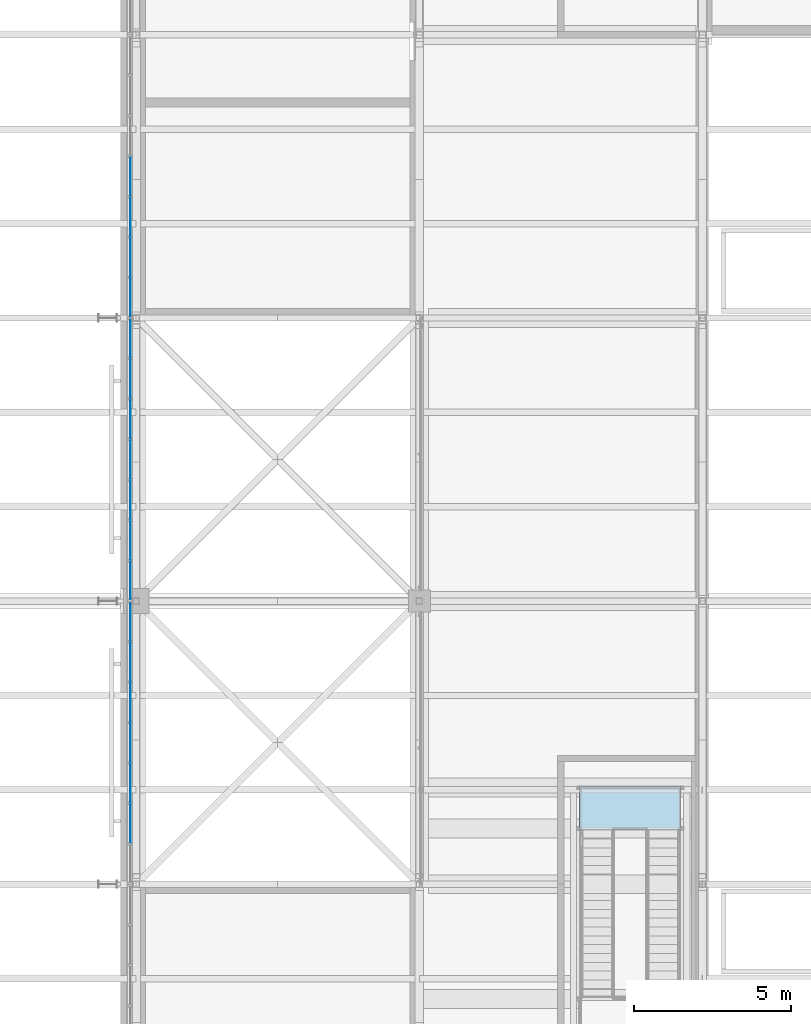
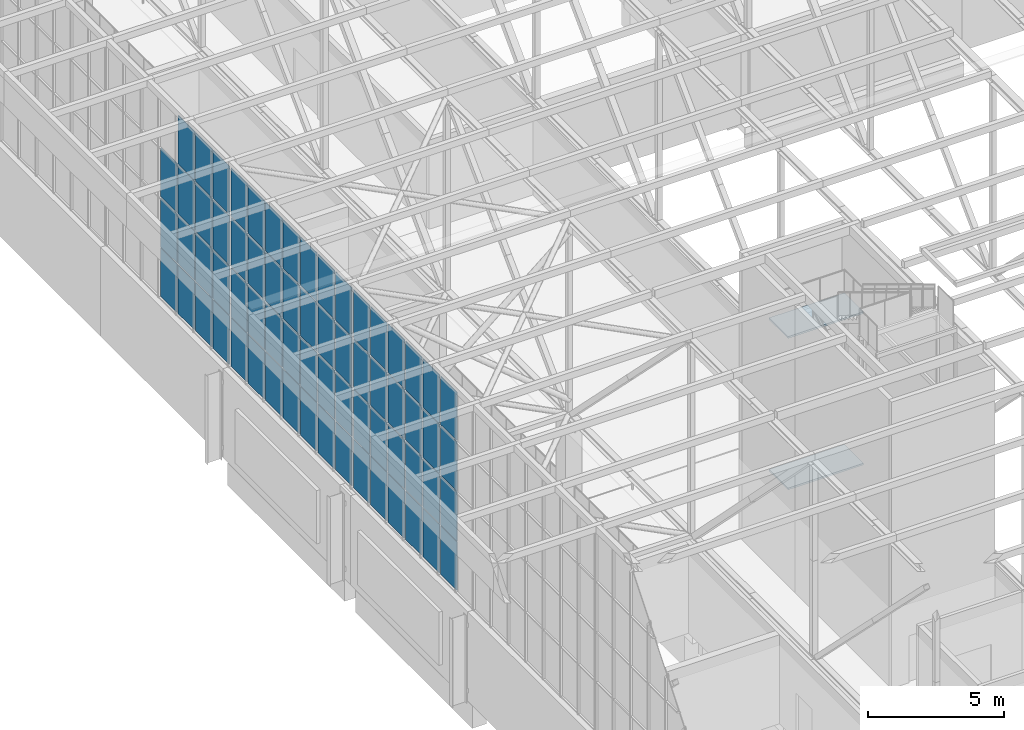
# One storey, part 148 of 646: 67 plates, 2 slabs, 4 elements without a shape of their own.
"""IFC4 building model written with IfcOpenShell, lengths in metres."""

from ifc_helpers import new_model, si_unit, direction, frame, origin, origin_2d, place, context, subcontext, project, spatial, polyline, rectangle, outline, extrude, material, layer, layer_set, type_object, element, aggregate, save


model = new_model("IFC4")

# Units and contexts
model_context = context("Model", 3, precision=1e-05, world=origin(), true_north=direction((0.0, 1.0)))
body_context = subcontext(model_context, "Body", "Model", "MODEL_VIEW")
ifc_project = project(units=[si_unit("LENGTHUNIT", "METRE"), si_unit("AREAUNIT", "SQUARE_METRE"), si_unit("VOLUMEUNIT", "CUBIC_METRE"), si_unit("PLANEANGLEUNIT", "RADIAN"), si_unit("MASSUNIT", "GRAM", prefix="KILO")], contexts=[model_context])

# Site, building, storey
site_placement = place(None, origin())
site = spatial("IfcSite", under=ifc_project, at=site_placement, CompositionType="ELEMENT")
building_placement = place(site_placement, origin())
building = spatial("IfcBuilding", under=site, at=building_placement, Name="Silverbay Arena", CompositionType="ELEMENT")
storey_placement = place(building_placement, frame((0.0, 0.0, 33.5)))
storey = spatial("IfcBuildingStorey", under=building, at=storey_placement, Name="L05", CompositionType="ELEMENT", Elevation=33.5)

# Curtain wall, plates
ifc_material_1 = material(Name="Aluminium framed glazing", Category="aluminium")
curtain_wall_type = type_object("IfcCurtainWallType", Name="Curtain wall clerestory 9000 x 9000", PredefinedType="NOTDEFINED", material=ifc_material_1)
curtain_wall_1_placement = place(storey_placement, origin())
curtain_wall_1 = element("IfcCurtainWall", 1, at=curtain_wall_1_placement, inside=storey, type_object=curtain_wall_type, Name="ROOF GABLE CLERESTORY CURTAIN WALL west bay 08", PredefinedType="NOTDEFINED")
ifc_material_2 = material(Name="Laminated glass", Category="glass")
ifc_layer_1 = layer(ifc_material_2, 0.028076171875)
ifc_layer_set_1 = layer_set([ifc_layer_1], Name="Laminated glass")
plate_type = type_object("IfcPlateType", Name="Glass panel 28", PredefinedType="CURTAIN_PANEL", material=ifc_layer_set_1)
plate_1_placement = place(storey_placement, frame((53.820068359375, 73.928466796875, 4.0498046875), z_axis=(0.0, 0.0, 1.0), x_axis=(0.0, 1.0, 0.0)))
plate_1 = element("IfcPlate", 2, at=plate_1_placement, type_object=plate_type, Name="CW60 panel 2.1", PredefinedType="CURTAIN_PANEL", context=body_context, shape_type="SweptSolid", body=[
    extrude(rectangle(XDim=1.225830078125, YDim=0.028076171875, at=origin_2d()), origin(), (0.0, 0.0, 1.0), 2.175048828125),
])
plate_2_placement = place(storey_placement, frame((53.820068359375, 73.928466796875, 6.27490234375), z_axis=(0.0, 0.0, 1.0), x_axis=(0.0, 1.0, 0.0)))
plate_2 = element("IfcPlate", 3, at=plate_2_placement, type_object=plate_type, Name="CW60 panel 2.2", PredefinedType="CURTAIN_PANEL", context=body_context, shape_type="SweptSolid", body=[
    extrude(rectangle(XDim=1.225830078125, YDim=0.028076171875, at=origin_2d()), origin(), (0.0, 0.0, 1.0), 2.199951171875),
])
plate_3_placement = place(storey_placement, frame((53.820068359375, 73.928466796875, 8.52490234375), z_axis=(0.0, 0.0, 1.0), x_axis=(0.0, 1.0, 0.0)))
plate_3 = element("IfcPlate", 4, at=plate_3_placement, type_object=plate_type, Name="CW60 panel 2.3", PredefinedType="CURTAIN_PANEL", context=body_context, shape_type="SweptSolid", body=[
    extrude(rectangle(XDim=1.225830078125, YDim=0.028076171875, at=origin_2d()), origin(), (0.0, 0.0, 1.0), 2.199951171875),
])
plate_4_placement = place(storey_placement, frame((53.820068359375, 73.928466796875, 10.77490234375), z_axis=(0.0, 0.0, 1.0), x_axis=(0.0, 1.0, 0.0)))
plate_4 = element("IfcPlate", 5, at=plate_4_placement, type_object=plate_type, Name="CW60 panel 2.4", PredefinedType="CURTAIN_PANEL", context=body_context, shape_type="SweptSolid", body=[
    extrude(rectangle(XDim=1.225830078125, YDim=0.028076171875, at=origin_2d()), origin(), (0.0, 0.0, 1.0), 2.175048828125),
])
plate_5_placement = place(storey_placement, frame((53.820068359375, 75.21435546875, 4.0498046875), z_axis=(0.0, 0.0, 1.0), x_axis=(0.0, 1.0, 0.0)))
plate_5 = element("IfcPlate", 6, at=plate_5_placement, type_object=plate_type, Name="CW60 panel 3.1", PredefinedType="CURTAIN_PANEL", context=body_context, shape_type="SweptSolid", body=[
    extrude(rectangle(XDim=1.225830078125, YDim=0.028076171875, at=origin_2d()), origin(), (0.0, 0.0, 1.0), 2.175048828125),
])
plate_6_placement = place(storey_placement, frame((53.820068359375, 75.21435546875, 6.27490234375), z_axis=(0.0, 0.0, 1.0), x_axis=(0.0, 1.0, 0.0)))
plate_6 = element("IfcPlate", 7, at=plate_6_placement, type_object=plate_type, Name="CW60 panel 3.2", PredefinedType="CURTAIN_PANEL", context=body_context, shape_type="SweptSolid", body=[
    extrude(rectangle(XDim=1.225830078125, YDim=0.028076171875, at=origin_2d()), origin(), (0.0, 0.0, 1.0), 2.199951171875),
])
plate_7_placement = place(storey_placement, frame((53.820068359375, 75.21435546875, 8.52490234375), z_axis=(0.0, 0.0, 1.0), x_axis=(0.0, 1.0, 0.0)))
plate_7 = element("IfcPlate", 8, at=plate_7_placement, type_object=plate_type, Name="CW60 panel 3.3", PredefinedType="CURTAIN_PANEL", context=body_context, shape_type="SweptSolid", body=[
    extrude(rectangle(XDim=1.225830078125, YDim=0.028076171875, at=origin_2d()), origin(), (0.0, 0.0, 1.0), 2.199951171875),
])
plate_8_placement = place(storey_placement, frame((53.820068359375, 75.21435546875, 10.77490234375), z_axis=(0.0, 0.0, 1.0), x_axis=(0.0, 1.0, 0.0)))
plate_8 = element("IfcPlate", 9, at=plate_8_placement, type_object=plate_type, Name="CW60 panel 3.4", PredefinedType="CURTAIN_PANEL", context=body_context, shape_type="SweptSolid", body=[
    extrude(rectangle(XDim=1.225830078125, YDim=0.028076171875, at=origin_2d()), origin(), (0.0, 0.0, 1.0), 2.175048828125),
])
plate_9_placement = place(storey_placement, frame((53.820068359375, 76.5, 4.0498046875), z_axis=(0.0, 0.0, 1.0), x_axis=(0.0, 1.0, 0.0)))
plate_9 = element("IfcPlate", 10, at=plate_9_placement, type_object=plate_type, Name="CW60 panel 4.1", PredefinedType="CURTAIN_PANEL", context=body_context, shape_type="SweptSolid", body=[
    extrude(rectangle(XDim=1.225830078125, YDim=0.028076171875, at=origin_2d()), origin(), (0.0, 0.0, 1.0), 2.175048828125),
])
plate_10_placement = place(storey_placement, frame((53.820068359375, 76.5, 6.27490234375), z_axis=(0.0, 0.0, 1.0), x_axis=(0.0, 1.0, 0.0)))
plate_10 = element("IfcPlate", 11, at=plate_10_placement, type_object=plate_type, Name="CW60 panel 4.2", PredefinedType="CURTAIN_PANEL", context=body_context, shape_type="SweptSolid", body=[
    extrude(rectangle(XDim=1.225830078125, YDim=0.028076171875, at=origin_2d()), origin(), (0.0, 0.0, 1.0), 2.199951171875),
])
plate_11_placement = place(storey_placement, frame((53.820068359375, 76.5, 8.52490234375), z_axis=(0.0, 0.0, 1.0), x_axis=(0.0, 1.0, 0.0)))
plate_11 = element("IfcPlate", 12, at=plate_11_placement, type_object=plate_type, Name="CW60 panel 4.3", PredefinedType="CURTAIN_PANEL", context=body_context, shape_type="SweptSolid", body=[
    extrude(rectangle(XDim=1.225830078125, YDim=0.028076171875, at=origin_2d()), origin(), (0.0, 0.0, 1.0), 2.199951171875),
])
plate_12_placement = place(storey_placement, frame((53.820068359375, 76.5, 10.77490234375), z_axis=(0.0, 0.0, 1.0), x_axis=(0.0, 1.0, 0.0)))
plate_12 = element("IfcPlate", 13, at=plate_12_placement, type_object=plate_type, Name="CW60 panel 4.4", PredefinedType="CURTAIN_PANEL", context=body_context, shape_type="SweptSolid", body=[
    extrude(rectangle(XDim=1.225830078125, YDim=0.028076171875, at=origin_2d()), origin(), (0.0, 0.0, 1.0), 2.175048828125),
])
plate_13_placement = place(storey_placement, frame((53.820068359375, 77.78564453125, 4.0498046875), z_axis=(0.0, 0.0, 1.0), x_axis=(0.0, 1.0, 0.0)))
plate_13 = element("IfcPlate", 14, at=plate_13_placement, type_object=plate_type, Name="CW60 panel 5.1", PredefinedType="CURTAIN_PANEL", context=body_context, shape_type="SweptSolid", body=[
    extrude(rectangle(XDim=1.225830078125, YDim=0.028076171875, at=origin_2d()), origin(), (0.0, 0.0, 1.0), 2.175048828125),
])
plate_14_placement = place(storey_placement, frame((53.820068359375, 77.78564453125, 6.27490234375), z_axis=(0.0, 0.0, 1.0), x_axis=(0.0, 1.0, 0.0)))
plate_14 = element("IfcPlate", 15, at=plate_14_placement, type_object=plate_type, Name="CW60 panel 5.2", PredefinedType="CURTAIN_PANEL", context=body_context, shape_type="SweptSolid", body=[
    extrude(rectangle(XDim=1.225830078125, YDim=0.028076171875, at=origin_2d()), origin(), (0.0, 0.0, 1.0), 2.199951171875),
])
plate_15_placement = place(storey_placement, frame((53.820068359375, 77.78564453125, 8.52490234375), z_axis=(0.0, 0.0, 1.0), x_axis=(0.0, 1.0, 0.0)))
plate_15 = element("IfcPlate", 16, at=plate_15_placement, type_object=plate_type, Name="CW60 panel 5.3", PredefinedType="CURTAIN_PANEL", context=body_context, shape_type="SweptSolid", body=[
    extrude(rectangle(XDim=1.225830078125, YDim=0.028076171875, at=origin_2d()), origin(), (0.0, 0.0, 1.0), 2.199951171875),
])
plate_16_placement = place(storey_placement, frame((53.820068359375, 77.78564453125, 10.77490234375), z_axis=(0.0, 0.0, 1.0), x_axis=(0.0, 1.0, 0.0)))
plate_16 = element("IfcPlate", 17, at=plate_16_placement, type_object=plate_type, Name="CW60 panel 5.4", PredefinedType="CURTAIN_PANEL", context=body_context, shape_type="SweptSolid", body=[
    extrude(rectangle(XDim=1.225830078125, YDim=0.028076171875, at=origin_2d()), origin(), (0.0, 0.0, 1.0), 2.175048828125),
])
plate_17_placement = place(storey_placement, frame((53.820068359375, 79.071533203125, 4.0498046875), z_axis=(0.0, 0.0, 1.0), x_axis=(0.0, 1.0, 0.0)))
plate_17 = element("IfcPlate", 18, at=plate_17_placement, type_object=plate_type, Name="CW60 panel 6.1", PredefinedType="CURTAIN_PANEL", context=body_context, shape_type="SweptSolid", body=[
    extrude(rectangle(XDim=1.225830078125, YDim=0.028076171875, at=origin_2d()), origin(), (0.0, 0.0, 1.0), 2.175048828125),
])
plate_18_placement = place(storey_placement, frame((53.820068359375, 79.071533203125, 6.27490234375), z_axis=(0.0, 0.0, 1.0), x_axis=(0.0, 1.0, 0.0)))
plate_18 = element("IfcPlate", 19, at=plate_18_placement, type_object=plate_type, Name="CW60 panel 6.2", PredefinedType="CURTAIN_PANEL", context=body_context, shape_type="SweptSolid", body=[
    extrude(rectangle(XDim=1.225830078125, YDim=0.028076171875, at=origin_2d()), origin(), (0.0, 0.0, 1.0), 2.199951171875),
])
plate_19_placement = place(storey_placement, frame((53.820068359375, 79.071533203125, 8.52490234375), z_axis=(0.0, 0.0, 1.0), x_axis=(0.0, 1.0, 0.0)))
plate_19 = element("IfcPlate", 20, at=plate_19_placement, type_object=plate_type, Name="CW60 panel 6.3", PredefinedType="CURTAIN_PANEL", context=body_context, shape_type="SweptSolid", body=[
    extrude(rectangle(XDim=1.225830078125, YDim=0.028076171875, at=origin_2d()), origin(), (0.0, 0.0, 1.0), 2.199951171875),
])
plate_20_placement = place(storey_placement, frame((53.820068359375, 79.071533203125, 10.77490234375), z_axis=(0.0, 0.0, 1.0), x_axis=(0.0, 1.0, 0.0)))
plate_20 = element("IfcPlate", 21, at=plate_20_placement, type_object=plate_type, Name="CW60 panel 6.4", PredefinedType="CURTAIN_PANEL", context=body_context, shape_type="SweptSolid", body=[
    extrude(rectangle(XDim=1.225830078125, YDim=0.028076171875, at=origin_2d()), origin(), (0.0, 0.0, 1.0), 2.175048828125),
])
plate_21_placement = place(storey_placement, frame((53.820068359375, 80.342041015625, 4.0498046875), z_axis=(0.0, 0.0, 1.0), x_axis=(0.0, 1.0, 0.0)))
plate_21 = element("IfcPlate", 22, at=plate_21_placement, type_object=plate_type, Name="CW60 panel 7.1", PredefinedType="CURTAIN_PANEL", context=body_context, shape_type="SweptSolid", body=[
    extrude(rectangle(XDim=1.19580078125, YDim=0.028076171875, at=origin_2d()), origin(), (0.0, 0.0, 1.0), 2.175048828125),
])
plate_22_placement = place(storey_placement, frame((53.820068359375, 80.342041015625, 6.27490234375), z_axis=(0.0, 0.0, 1.0), x_axis=(0.0, 1.0, 0.0)))
plate_22 = element("IfcPlate", 23, at=plate_22_placement, type_object=plate_type, Name="CW60 panel 7.2", PredefinedType="CURTAIN_PANEL", context=body_context, shape_type="SweptSolid", body=[
    extrude(rectangle(XDim=1.19580078125, YDim=0.028076171875, at=origin_2d()), origin(), (0.0, 0.0, 1.0), 2.199951171875),
])
plate_23_placement = place(storey_placement, frame((53.820068359375, 80.342041015625, 8.52490234375), z_axis=(0.0, 0.0, 1.0), x_axis=(0.0, 1.0, 0.0)))
plate_23 = element("IfcPlate", 24, at=plate_23_placement, type_object=plate_type, Name="CW60 panel 7.3", PredefinedType="CURTAIN_PANEL", context=body_context, shape_type="SweptSolid", body=[
    extrude(rectangle(XDim=1.19580078125, YDim=0.028076171875, at=origin_2d()), origin(), (0.0, 0.0, 1.0), 2.199951171875),
])
plate_24_placement = place(storey_placement, frame((53.820068359375, 80.342041015625, 10.77490234375), z_axis=(0.0, 0.0, 1.0), x_axis=(0.0, 1.0, 0.0)))
plate_24 = element("IfcPlate", 25, at=plate_24_placement, type_object=plate_type, Name="CW60 panel 7.4", PredefinedType="CURTAIN_PANEL", context=body_context, shape_type="SweptSolid", body=[
    extrude(rectangle(XDim=1.19580078125, YDim=0.028076171875, at=origin_2d()), origin(), (0.0, 0.0, 1.0), 2.175048828125),
])
aggregate(curtain_wall_1, [plate_1, plate_2, plate_3, plate_4, plate_5, plate_6, plate_7, plate_8, plate_9, plate_10, plate_11, plate_12, plate_13, plate_14, plate_15, plate_16, plate_17, plate_18, plate_19, plate_20, plate_21, plate_22, plate_23, plate_24])

curtain_wall_2_placement = place(storey_placement, origin())
curtain_wall_2 = element("IfcCurtainWall", 26, at=curtain_wall_2_placement, inside=storey, type_object=curtain_wall_type, Name="ROOF GABLE CLERESTORY CURTAIN WALL west bay 09", PredefinedType="NOTDEFINED")
plate_25_placement = place(storey_placement, frame((53.820068359375, 81.657958984375, 4.0498046875), z_axis=(0.0, 0.0, 1.0), x_axis=(0.0, 1.0, 0.0)))
plate_25 = element("IfcPlate", 27, at=plate_25_placement, type_object=plate_type, Name="CW60 panel 1.1", PredefinedType="CURTAIN_PANEL", context=body_context, shape_type="SweptSolid", body=[
    extrude(rectangle(XDim=1.19580078125, YDim=0.028076171875, at=origin_2d()), origin(), (0.0, 0.0, 1.0), 2.175048828125),
])
plate_26_placement = place(storey_placement, frame((53.820068359375, 81.657958984375, 6.27490234375), z_axis=(0.0, 0.0, 1.0), x_axis=(0.0, 1.0, 0.0)))
plate_26 = element("IfcPlate", 28, at=plate_26_placement, type_object=plate_type, Name="CW60 panel 1.2", PredefinedType="CURTAIN_PANEL", context=body_context, shape_type="SweptSolid", body=[
    extrude(rectangle(XDim=1.19580078125, YDim=0.028076171875, at=origin_2d()), origin(), (0.0, 0.0, 1.0), 2.199951171875),
])
plate_27_placement = place(storey_placement, frame((53.820068359375, 81.657958984375, 8.52490234375), z_axis=(0.0, 0.0, 1.0), x_axis=(0.0, 1.0, 0.0)))
plate_27 = element("IfcPlate", 29, at=plate_27_placement, type_object=plate_type, Name="CW60 panel 1.3", PredefinedType="CURTAIN_PANEL", context=body_context, shape_type="SweptSolid", body=[
    extrude(rectangle(XDim=1.19580078125, YDim=0.028076171875, at=origin_2d()), origin(), (0.0, 0.0, 1.0), 2.199951171875),
])
plate_28_placement = place(storey_placement, frame((53.820068359375, 81.657958984375, 10.77490234375), z_axis=(0.0, 0.0, 1.0), x_axis=(0.0, 1.0, 0.0)))
plate_28 = element("IfcPlate", 30, at=plate_28_placement, type_object=plate_type, Name="CW60 panel 1.4", PredefinedType="CURTAIN_PANEL", context=body_context, shape_type="SweptSolid", body=[
    extrude(rectangle(XDim=1.19580078125, YDim=0.028076171875, at=origin_2d()), origin(), (0.0, 0.0, 1.0), 2.175048828125),
])
plate_29_placement = place(storey_placement, frame((53.820068359375, 82.928466796875, 4.0498046875), z_axis=(0.0, 0.0, 1.0), x_axis=(0.0, 1.0, 0.0)))
plate_29 = element("IfcPlate", 31, at=plate_29_placement, type_object=plate_type, Name="CW60 panel 2.1", PredefinedType="CURTAIN_PANEL", context=body_context, shape_type="SweptSolid", body=[
    extrude(rectangle(XDim=1.225830078125, YDim=0.028076171875, at=origin_2d()), origin(), (0.0, 0.0, 1.0), 2.175048828125),
])
plate_30_placement = place(storey_placement, frame((53.820068359375, 82.928466796875, 6.27490234375), z_axis=(0.0, 0.0, 1.0), x_axis=(0.0, 1.0, 0.0)))
plate_30 = element("IfcPlate", 32, at=plate_30_placement, type_object=plate_type, Name="CW60 panel 2.2", PredefinedType="CURTAIN_PANEL", context=body_context, shape_type="SweptSolid", body=[
    extrude(rectangle(XDim=1.225830078125, YDim=0.028076171875, at=origin_2d()), origin(), (0.0, 0.0, 1.0), 2.199951171875),
])
plate_31_placement = place(storey_placement, frame((53.820068359375, 82.928466796875, 8.52490234375), z_axis=(0.0, 0.0, 1.0), x_axis=(0.0, 1.0, 0.0)))
plate_31 = element("IfcPlate", 33, at=plate_31_placement, type_object=plate_type, Name="CW60 panel 2.3", PredefinedType="CURTAIN_PANEL", context=body_context, shape_type="SweptSolid", body=[
    extrude(rectangle(XDim=1.225830078125, YDim=0.028076171875, at=origin_2d()), origin(), (0.0, 0.0, 1.0), 2.199951171875),
])
plate_32_placement = place(storey_placement, frame((53.820068359375, 82.928466796875, 10.77490234375), z_axis=(0.0, 0.0, 1.0), x_axis=(0.0, 1.0, 0.0)))
plate_32 = element("IfcPlate", 34, at=plate_32_placement, type_object=plate_type, Name="CW60 panel 2.4", PredefinedType="CURTAIN_PANEL", context=body_context, shape_type="SweptSolid", body=[
    extrude(rectangle(XDim=1.225830078125, YDim=0.028076171875, at=origin_2d()), origin(), (0.0, 0.0, 1.0), 2.175048828125),
])
plate_33_placement = place(storey_placement, frame((53.820068359375, 84.21435546875, 4.0498046875), z_axis=(0.0, 0.0, 1.0), x_axis=(0.0, 1.0, 0.0)))
plate_33 = element("IfcPlate", 35, at=plate_33_placement, type_object=plate_type, Name="CW60 panel 3.1", PredefinedType="CURTAIN_PANEL", context=body_context, shape_type="SweptSolid", body=[
    extrude(rectangle(XDim=1.225830078125, YDim=0.028076171875, at=origin_2d()), origin(), (0.0, 0.0, 1.0), 2.175048828125),
])
plate_34_placement = place(storey_placement, frame((53.820068359375, 84.21435546875, 6.27490234375), z_axis=(0.0, 0.0, 1.0), x_axis=(0.0, 1.0, 0.0)))
plate_34 = element("IfcPlate", 36, at=plate_34_placement, type_object=plate_type, Name="CW60 panel 3.2", PredefinedType="CURTAIN_PANEL", context=body_context, shape_type="SweptSolid", body=[
    extrude(rectangle(XDim=1.225830078125, YDim=0.028076171875, at=origin_2d()), origin(), (0.0, 0.0, 1.0), 2.199951171875),
])
plate_35_placement = place(storey_placement, frame((53.820068359375, 84.21435546875, 8.52490234375), z_axis=(0.0, 0.0, 1.0), x_axis=(0.0, 1.0, 0.0)))
plate_35 = element("IfcPlate", 37, at=plate_35_placement, type_object=plate_type, Name="CW60 panel 3.3", PredefinedType="CURTAIN_PANEL", context=body_context, shape_type="SweptSolid", body=[
    extrude(rectangle(XDim=1.225830078125, YDim=0.028076171875, at=origin_2d()), origin(), (0.0, 0.0, 1.0), 2.199951171875),
])
plate_36_placement = place(storey_placement, frame((53.820068359375, 84.21435546875, 10.77490234375), z_axis=(0.0, 0.0, 1.0), x_axis=(0.0, 1.0, 0.0)))
plate_36 = element("IfcPlate", 38, at=plate_36_placement, type_object=plate_type, Name="CW60 panel 3.4", PredefinedType="CURTAIN_PANEL", context=body_context, shape_type="SweptSolid", body=[
    extrude(rectangle(XDim=1.225830078125, YDim=0.028076171875, at=origin_2d()), origin(), (0.0, 0.0, 1.0), 2.175048828125),
])
plate_37_placement = place(storey_placement, frame((53.820068359375, 85.5, 4.0498046875), z_axis=(0.0, 0.0, 1.0), x_axis=(0.0, 1.0, 0.0)))
plate_37 = element("IfcPlate", 39, at=plate_37_placement, type_object=plate_type, Name="CW60 panel 4.1", PredefinedType="CURTAIN_PANEL", context=body_context, shape_type="SweptSolid", body=[
    extrude(rectangle(XDim=1.225830078125, YDim=0.028076171875, at=origin_2d()), origin(), (0.0, 0.0, 1.0), 2.175048828125),
])
plate_38_placement = place(storey_placement, frame((53.820068359375, 85.5, 6.27490234375), z_axis=(0.0, 0.0, 1.0), x_axis=(0.0, 1.0, 0.0)))
plate_38 = element("IfcPlate", 40, at=plate_38_placement, type_object=plate_type, Name="CW60 panel 4.2", PredefinedType="CURTAIN_PANEL", context=body_context, shape_type="SweptSolid", body=[
    extrude(rectangle(XDim=1.225830078125, YDim=0.028076171875, at=origin_2d()), origin(), (0.0, 0.0, 1.0), 2.199951171875),
])
plate_39_placement = place(storey_placement, frame((53.820068359375, 85.5, 8.52490234375), z_axis=(0.0, 0.0, 1.0), x_axis=(0.0, 1.0, 0.0)))
plate_39 = element("IfcPlate", 41, at=plate_39_placement, type_object=plate_type, Name="CW60 panel 4.3", PredefinedType="CURTAIN_PANEL", context=body_context, shape_type="SweptSolid", body=[
    extrude(rectangle(XDim=1.225830078125, YDim=0.028076171875, at=origin_2d()), origin(), (0.0, 0.0, 1.0), 2.199951171875),
])
plate_40_placement = place(storey_placement, frame((53.820068359375, 85.5, 10.77490234375), z_axis=(0.0, 0.0, 1.0), x_axis=(0.0, 1.0, 0.0)))
plate_40 = element("IfcPlate", 42, at=plate_40_placement, type_object=plate_type, Name="CW60 panel 4.4", PredefinedType="CURTAIN_PANEL", context=body_context, shape_type="SweptSolid", body=[
    extrude(rectangle(XDim=1.225830078125, YDim=0.028076171875, at=origin_2d()), origin(), (0.0, 0.0, 1.0), 2.175048828125),
])
plate_41_placement = place(storey_placement, frame((53.820068359375, 86.78564453125, 4.0498046875), z_axis=(0.0, 0.0, 1.0), x_axis=(0.0, 1.0, 0.0)))
plate_41 = element("IfcPlate", 43, at=plate_41_placement, type_object=plate_type, Name="CW60 panel 5.1", PredefinedType="CURTAIN_PANEL", context=body_context, shape_type="SweptSolid", body=[
    extrude(rectangle(XDim=1.225830078125, YDim=0.028076171875, at=origin_2d()), origin(), (0.0, 0.0, 1.0), 2.175048828125),
])
plate_42_placement = place(storey_placement, frame((53.820068359375, 86.78564453125, 6.27490234375), z_axis=(0.0, 0.0, 1.0), x_axis=(0.0, 1.0, 0.0)))
plate_42 = element("IfcPlate", 44, at=plate_42_placement, type_object=plate_type, Name="CW60 panel 5.2", PredefinedType="CURTAIN_PANEL", context=body_context, shape_type="SweptSolid", body=[
    extrude(rectangle(XDim=1.225830078125, YDim=0.028076171875, at=origin_2d()), origin(), (0.0, 0.0, 1.0), 2.199951171875),
])
plate_43_placement = place(storey_placement, frame((53.820068359375, 86.78564453125, 8.52490234375), z_axis=(0.0, 0.0, 1.0), x_axis=(0.0, 1.0, 0.0)))
plate_43 = element("IfcPlate", 45, at=plate_43_placement, type_object=plate_type, Name="CW60 panel 5.3", PredefinedType="CURTAIN_PANEL", context=body_context, shape_type="SweptSolid", body=[
    extrude(rectangle(XDim=1.225830078125, YDim=0.028076171875, at=origin_2d()), origin(), (0.0, 0.0, 1.0), 2.199951171875),
])
plate_44_placement = place(storey_placement, frame((53.820068359375, 86.78564453125, 10.77490234375), z_axis=(0.0, 0.0, 1.0), x_axis=(0.0, 1.0, 0.0)))
plate_44 = element("IfcPlate", 46, at=plate_44_placement, type_object=plate_type, Name="CW60 panel 5.4", PredefinedType="CURTAIN_PANEL", context=body_context, shape_type="SweptSolid", body=[
    extrude(rectangle(XDim=1.225830078125, YDim=0.028076171875, at=origin_2d()), origin(), (0.0, 0.0, 1.0), 2.175048828125),
])
plate_45_placement = place(storey_placement, frame((53.820068359375, 88.071533203125, 4.0498046875), z_axis=(0.0, 0.0, 1.0), x_axis=(0.0, 1.0, 0.0)))
plate_45 = element("IfcPlate", 47, at=plate_45_placement, type_object=plate_type, Name="CW60 panel 6.1", PredefinedType="CURTAIN_PANEL", context=body_context, shape_type="SweptSolid", body=[
    extrude(rectangle(XDim=1.225830078125, YDim=0.028076171875, at=origin_2d()), origin(), (0.0, 0.0, 1.0), 2.175048828125),
])
plate_46_placement = place(storey_placement, frame((53.820068359375, 88.071533203125, 6.27490234375), z_axis=(0.0, 0.0, 1.0), x_axis=(0.0, 1.0, 0.0)))
plate_46 = element("IfcPlate", 48, at=plate_46_placement, type_object=plate_type, Name="CW60 panel 6.2", PredefinedType="CURTAIN_PANEL", context=body_context, shape_type="SweptSolid", body=[
    extrude(rectangle(XDim=1.225830078125, YDim=0.028076171875, at=origin_2d()), origin(), (0.0, 0.0, 1.0), 2.199951171875),
])
plate_47_placement = place(storey_placement, frame((53.820068359375, 88.071533203125, 8.52490234375), z_axis=(0.0, 0.0, 1.0), x_axis=(0.0, 1.0, 0.0)))
plate_47 = element("IfcPlate", 49, at=plate_47_placement, type_object=plate_type, Name="CW60 panel 6.3", PredefinedType="CURTAIN_PANEL", context=body_context, shape_type="SweptSolid", body=[
    extrude(rectangle(XDim=1.225830078125, YDim=0.028076171875, at=origin_2d()), origin(), (0.0, 0.0, 1.0), 2.199951171875),
])
plate_48_placement = place(storey_placement, frame((53.820068359375, 88.071533203125, 10.77490234375), z_axis=(0.0, 0.0, 1.0), x_axis=(0.0, 1.0, 0.0)))
plate_48 = element("IfcPlate", 50, at=plate_48_placement, type_object=plate_type, Name="CW60 panel 6.4", PredefinedType="CURTAIN_PANEL", context=body_context, shape_type="SweptSolid", body=[
    extrude(rectangle(XDim=1.225830078125, YDim=0.028076171875, at=origin_2d()), origin(), (0.0, 0.0, 1.0), 2.175048828125),
])
plate_49_placement = place(storey_placement, frame((53.820068359375, 89.342041015625, 4.0498046875), z_axis=(0.0, 0.0, 1.0), x_axis=(0.0, 1.0, 0.0)))
plate_49 = element("IfcPlate", 51, at=plate_49_placement, type_object=plate_type, Name="CW60 panel 7.1", PredefinedType="CURTAIN_PANEL", context=body_context, shape_type="SweptSolid", body=[
    extrude(rectangle(XDim=1.19580078125, YDim=0.028076171875, at=origin_2d()), origin(), (0.0, 0.0, 1.0), 2.175048828125),
])
plate_50_placement = place(storey_placement, frame((53.820068359375, 89.342041015625, 6.27490234375), z_axis=(0.0, 0.0, 1.0), x_axis=(0.0, 1.0, 0.0)))
plate_50 = element("IfcPlate", 52, at=plate_50_placement, type_object=plate_type, Name="CW60 panel 7.2", PredefinedType="CURTAIN_PANEL", context=body_context, shape_type="SweptSolid", body=[
    extrude(rectangle(XDim=1.19580078125, YDim=0.028076171875, at=origin_2d()), origin(), (0.0, 0.0, 1.0), 2.199951171875),
])
plate_51_placement = place(storey_placement, frame((53.820068359375, 89.342041015625, 8.52490234375), z_axis=(0.0, 0.0, 1.0), x_axis=(0.0, 1.0, 0.0)))
plate_51 = element("IfcPlate", 53, at=plate_51_placement, type_object=plate_type, Name="CW60 panel 7.3", PredefinedType="CURTAIN_PANEL", context=body_context, shape_type="SweptSolid", body=[
    extrude(rectangle(XDim=1.19580078125, YDim=0.028076171875, at=origin_2d()), origin(), (0.0, 0.0, 1.0), 2.199951171875),
])
plate_52_placement = place(storey_placement, frame((53.820068359375, 89.342041015625, 10.77490234375), z_axis=(0.0, 0.0, 1.0), x_axis=(0.0, 1.0, 0.0)))
plate_52 = element("IfcPlate", 54, at=plate_52_placement, type_object=plate_type, Name="CW60 panel 7.4", PredefinedType="CURTAIN_PANEL", context=body_context, shape_type="SweptSolid", body=[
    extrude(rectangle(XDim=1.19580078125, YDim=0.028076171875, at=origin_2d()), origin(), (0.0, 0.0, 1.0), 2.175048828125),
])
aggregate(curtain_wall_2, [plate_25, plate_26, plate_27, plate_28, plate_29, plate_30, plate_31, plate_32, plate_33, plate_34, plate_35, plate_36, plate_37, plate_38, plate_39, plate_40, plate_41, plate_42, plate_43, plate_44, plate_45, plate_46, plate_47, plate_48, plate_49, plate_50, plate_51, plate_52])

curtain_wall_3_placement = place(storey_placement, origin())
curtain_wall_3 = element("IfcCurtainWall", 55, at=curtain_wall_3_placement, inside=storey, type_object=curtain_wall_type, Name="ROOF GABLE CLERESTORY CURTAIN WALL west bay 10", PredefinedType="NOTDEFINED")
plate_53_placement = place(storey_placement, frame((53.820068359375, 90.657958984375, 4.0498046875), z_axis=(0.0, 0.0, 1.0), x_axis=(0.0, 1.0, 0.0)))
plate_53 = element("IfcPlate", 56, at=plate_53_placement, type_object=plate_type, Name="CW60 panel 1.1", PredefinedType="CURTAIN_PANEL", context=body_context, shape_type="SweptSolid", body=[
    extrude(rectangle(XDim=1.19580078125, YDim=0.028076171875, at=origin_2d()), origin(), (0.0, 0.0, 1.0), 2.175048828125),
])
plate_54_placement = place(storey_placement, frame((53.820068359375, 90.657958984375, 6.27490234375), z_axis=(0.0, 0.0, 1.0), x_axis=(0.0, 1.0, 0.0)))
plate_54 = element("IfcPlate", 57, at=plate_54_placement, type_object=plate_type, Name="CW60 panel 1.2", PredefinedType="CURTAIN_PANEL", context=body_context, shape_type="SweptSolid", body=[
    extrude(rectangle(XDim=1.19580078125, YDim=0.028076171875, at=origin_2d()), origin(), (0.0, 0.0, 1.0), 2.199951171875),
])
plate_55_placement = place(storey_placement, frame((53.820068359375, 90.657958984375, 8.52490234375), z_axis=(0.0, 0.0, 1.0), x_axis=(0.0, 1.0, 0.0)))
plate_55 = element("IfcPlate", 58, at=plate_55_placement, type_object=plate_type, Name="CW60 panel 1.3", PredefinedType="CURTAIN_PANEL", context=body_context, shape_type="SweptSolid", body=[
    extrude(rectangle(XDim=1.19580078125, YDim=0.028076171875, at=origin_2d()), origin(), (0.0, 0.0, 1.0), 2.199951171875),
])
plate_56_placement = place(storey_placement, frame((53.820068359375, 90.657958984375, 10.77490234375), z_axis=(0.0, 0.0, 1.0), x_axis=(0.0, 1.0, 0.0)))
plate_56 = element("IfcPlate", 59, at=plate_56_placement, type_object=plate_type, Name="CW60 panel 1.4", PredefinedType="CURTAIN_PANEL", context=body_context, shape_type="SweptSolid", body=[
    extrude(rectangle(XDim=1.19580078125, YDim=0.028076171875, at=origin_2d()), origin(), (0.0, 0.0, 1.0), 2.175048828125),
])
plate_57_placement = place(storey_placement, frame((53.820068359375, 91.928466796875, 4.0498046875), z_axis=(0.0, 0.0, 1.0), x_axis=(0.0, 1.0, 0.0)))
plate_57 = element("IfcPlate", 60, at=plate_57_placement, type_object=plate_type, Name="CW60 panel 2.1", PredefinedType="CURTAIN_PANEL", context=body_context, shape_type="SweptSolid", body=[
    extrude(rectangle(XDim=1.225830078125, YDim=0.028076171875, at=origin_2d()), origin(), (0.0, 0.0, 1.0), 2.175048828125),
])
plate_58_placement = place(storey_placement, frame((53.820068359375, 91.928466796875, 6.27490234375), z_axis=(0.0, 0.0, 1.0), x_axis=(0.0, 1.0, 0.0)))
plate_58 = element("IfcPlate", 61, at=plate_58_placement, type_object=plate_type, Name="CW60 panel 2.2", PredefinedType="CURTAIN_PANEL", context=body_context, shape_type="SweptSolid", body=[
    extrude(rectangle(XDim=1.225830078125, YDim=0.028076171875, at=origin_2d()), origin(), (0.0, 0.0, 1.0), 2.199951171875),
])
plate_59_placement = place(storey_placement, frame((53.820068359375, 91.928466796875, 8.52490234375), z_axis=(0.0, 0.0, 1.0), x_axis=(0.0, 1.0, 0.0)))
plate_59 = element("IfcPlate", 62, at=plate_59_placement, type_object=plate_type, Name="CW60 panel 2.3", PredefinedType="CURTAIN_PANEL", context=body_context, shape_type="SweptSolid", body=[
    extrude(rectangle(XDim=1.225830078125, YDim=0.028076171875, at=origin_2d()), origin(), (0.0, 0.0, 1.0), 2.199951171875),
])
plate_60_placement = place(storey_placement, frame((53.820068359375, 91.928466796875, 10.77490234375), z_axis=(0.0, 0.0, 1.0), x_axis=(0.0, 1.0, 0.0)))
plate_60 = element("IfcPlate", 63, at=plate_60_placement, type_object=plate_type, Name="CW60 panel 2.4", PredefinedType="CURTAIN_PANEL", context=body_context, shape_type="SweptSolid", body=[
    extrude(rectangle(XDim=1.225830078125, YDim=0.028076171875, at=origin_2d()), origin(), (0.0, 0.0, 1.0), 2.175048828125),
])
plate_61_placement = place(storey_placement, frame((53.820068359375, 93.21435546875, 4.0498046875), z_axis=(0.0, 0.0, 1.0), x_axis=(0.0, 1.0, 0.0)))
plate_61 = element("IfcPlate", 64, at=plate_61_placement, type_object=plate_type, Name="CW60 panel 3.1", PredefinedType="CURTAIN_PANEL", context=body_context, shape_type="SweptSolid", body=[
    extrude(rectangle(XDim=1.225830078125, YDim=0.028076171875, at=origin_2d()), origin(), (0.0, 0.0, 1.0), 2.175048828125),
])
plate_62_placement = place(storey_placement, frame((53.820068359375, 93.21435546875, 6.27490234375), z_axis=(0.0, 0.0, 1.0), x_axis=(0.0, 1.0, 0.0)))
plate_62 = element("IfcPlate", 65, at=plate_62_placement, type_object=plate_type, Name="CW60 panel 3.2", PredefinedType="CURTAIN_PANEL", context=body_context, shape_type="SweptSolid", body=[
    extrude(rectangle(XDim=1.225830078125, YDim=0.028076171875, at=origin_2d()), origin(), (0.0, 0.0, 1.0), 2.199951171875),
])
plate_63_placement = place(storey_placement, frame((53.820068359375, 93.21435546875, 8.52490234375), z_axis=(0.0, 0.0, 1.0), x_axis=(0.0, 1.0, 0.0)))
plate_63 = element("IfcPlate", 66, at=plate_63_placement, type_object=plate_type, Name="CW60 panel 3.3", PredefinedType="CURTAIN_PANEL", context=body_context, shape_type="SweptSolid", body=[
    extrude(rectangle(XDim=1.225830078125, YDim=0.028076171875, at=origin_2d()), origin(), (0.0, 0.0, 1.0), 2.199951171875),
])
plate_64_placement = place(storey_placement, frame((53.820068359375, 93.21435546875, 10.77490234375), z_axis=(0.0, 0.0, 1.0), x_axis=(0.0, 1.0, 0.0)))
plate_64 = element("IfcPlate", 67, at=plate_64_placement, type_object=plate_type, Name="CW60 panel 3.4", PredefinedType="CURTAIN_PANEL", context=body_context, shape_type="SweptSolid", body=[
    extrude(rectangle(XDim=1.225830078125, YDim=0.028076171875, at=origin_2d()), origin(), (0.0, 0.0, 1.0), 2.175048828125),
])
plate_65_placement = place(storey_placement, frame((53.820068359375, 94.5, 4.0498046875), z_axis=(0.0, 0.0, 1.0), x_axis=(0.0, 1.0, 0.0)))
plate_65 = element("IfcPlate", 68, at=plate_65_placement, type_object=plate_type, Name="CW60 panel 4.1", PredefinedType="CURTAIN_PANEL", context=body_context, shape_type="SweptSolid", body=[
    extrude(rectangle(XDim=1.225830078125, YDim=0.028076171875, at=origin_2d()), origin(), (0.0, 0.0, 1.0), 2.175048828125),
])
plate_66_placement = place(storey_placement, frame((53.820068359375, 94.5, 6.27490234375), z_axis=(0.0, 0.0, 1.0), x_axis=(0.0, 1.0, 0.0)))
plate_66 = element("IfcPlate", 69, at=plate_66_placement, type_object=plate_type, Name="CW60 panel 4.2", PredefinedType="CURTAIN_PANEL", context=body_context, shape_type="SweptSolid", body=[
    extrude(rectangle(XDim=1.225830078125, YDim=0.028076171875, at=origin_2d()), origin(), (0.0, 0.0, 1.0), 2.199951171875),
])
plate_67_placement = place(storey_placement, frame((53.820068359375, 94.5, 8.52490234375), z_axis=(0.0, 0.0, 1.0), x_axis=(0.0, 1.0, 0.0)))
plate_67 = element("IfcPlate", 70, at=plate_67_placement, type_object=plate_type, Name="CW60 panel 4.3", PredefinedType="CURTAIN_PANEL", context=body_context, shape_type="SweptSolid", body=[
    extrude(rectangle(XDim=1.225830078125, YDim=0.028076171875, at=origin_2d()), origin(), (0.0, 0.0, 1.0), 2.199951171875),
])
aggregate(curtain_wall_3, [plate_53, plate_54, plate_55, plate_56, plate_57, plate_58, plate_59, plate_60, plate_61, plate_62, plate_63, plate_64, plate_65, plate_66, plate_67])

# Stair, slabs
ifc_material_3 = material(Name="Steel S355", Category="steel")
stair_type = type_object("IfcStairType", Name="Roof access stair RA1 (80 risers 170.0 x 280, 1100 wide)", PredefinedType="DOUBLE_RETURN_STAIR", material=ifc_material_3)
stair_placement = place(storey_placement, origin())
stair = element("IfcStair", 71, at=stair_placement, inside=storey, type_object=stair_type, Name="Stair RA1 L05 to ROOF", PredefinedType="DOUBLE_RETURN_STAIR")
ifc_material_4 = material(Name="Steel S355", Category="steel")
ifc_layer_2 = layer(ifc_material_4, 0.080078125)
ifc_layer_set_2 = layer_set([ifc_layer_2], Name="Steel S355")
slab_type = type_object("IfcSlabType", Name="Steel stair landing plate 80", PredefinedType="LANDING", material=ifc_layer_set_2)
slab_1_placement = place(storey_placement, frame((0.0, 0.0, 3.320068359375)))
slab_1 = element("IfcSlab", 72, at=slab_1_placement, type_object=slab_type, Name="Stair RA1 L05 to ROOF landing 1", PredefinedType="LANDING", context=body_context, shape_type="SweptSolid", body=[
    extrude(outline(polyline([(68.10009765625, 73.719970703125), (68.10009765625, 75.1201171875), (71.300048828125, 75.1201171875), (71.300048828125, 73.719970703125), (68.10009765625, 73.719970703125)])), origin(), (0.0, 0.0, 1.0), 0.079833984375),
])
slab_2_placement = place(storey_placement, frame((0.0, 0.0, 10.1201171875)))
slab_2 = element("IfcSlab", 73, at=slab_2_placement, type_object=slab_type, Name="Stair RA1 L05 to ROOF landing 3", PredefinedType="LANDING", context=body_context, shape_type="SweptSolid", body=[
    extrude(outline(polyline([(68.10009765625, 73.719970703125), (68.10009765625, 75.1201171875), (71.300048828125, 75.1201171875), (71.300048828125, 73.719970703125), (68.10009765625, 73.719970703125)])), origin(), (0.0, 0.0, 1.0), 0.079833984375),
])
aggregate(stair, [slab_1, slab_2])

save(model, "model.ifc")
